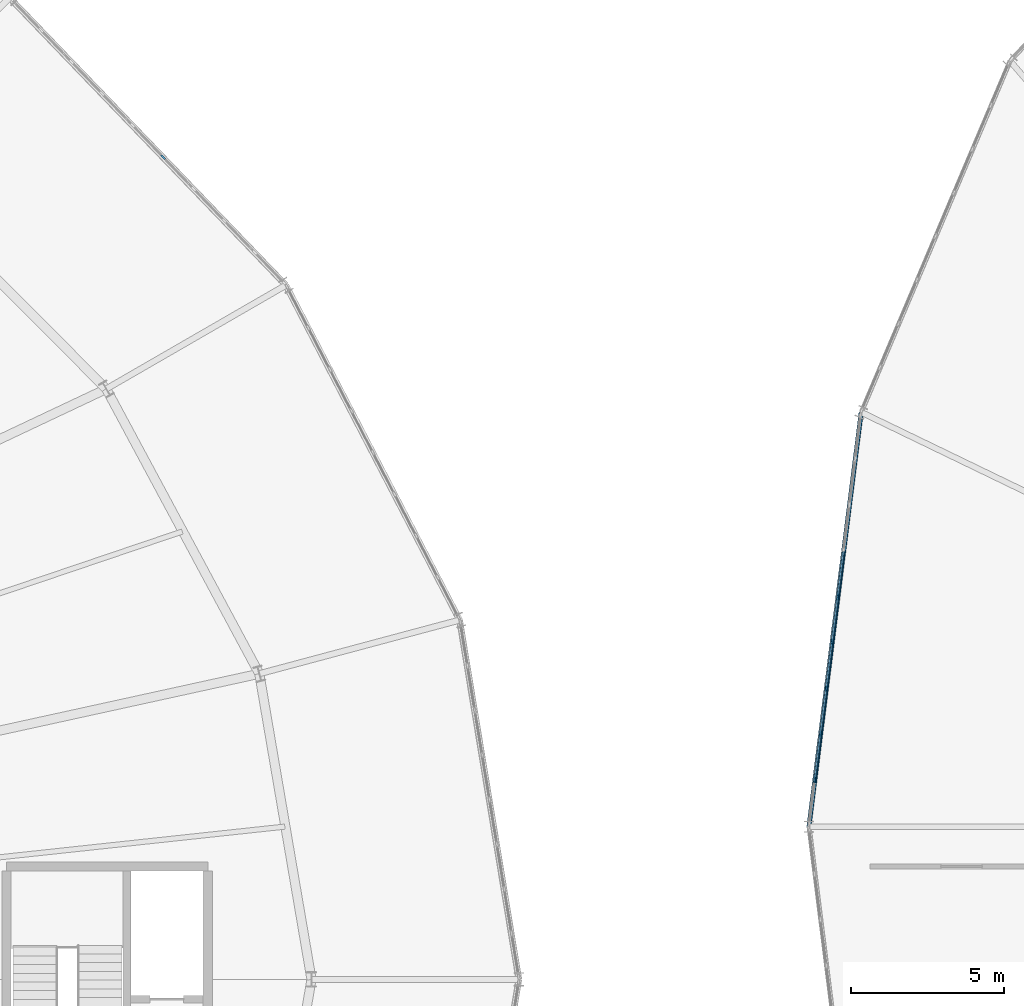
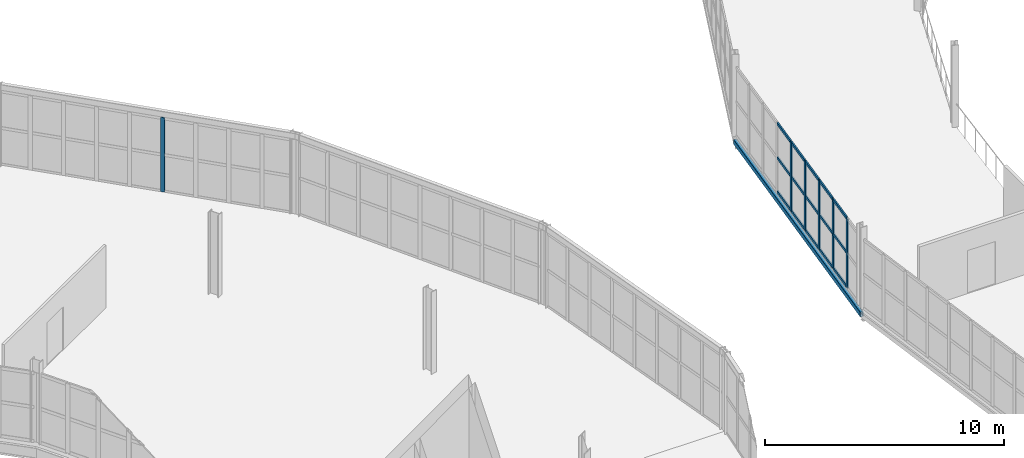
# One storey, part 87 of 161: 21 members, 1 beam, 2 elements without a shape of their own.
"""IFC4 building model written with IfcOpenShell, lengths in metres."""

import ifcopenshell
import ifcopenshell.guid

model = None  # the IFC model being written
_history = None  # IfcOwnerHistory: only IFC2X3 demands one
_inside = {}  # id of a spatial element -> (the spatial element, [elements in it])
_under = {}  # id of a project, library or spatial element -> (it, [spatial elements below it])
_declared = {}  # id of a project -> (the project, [libraries it declares])
_typed = {}  # id of a type object -> (the type object, [elements of that type])
_made_of = {}  # id of a material, layer set ... -> (it, [elements and type objects made of it])


def new_model(schema):
    """Start an empty IFC model of exactly this schema.

    Asked for "IFC4X3", IfcOpenShell would pick the latest addendum, in which some entities
    have other attributes; the version numbers below select the first issue.
    IFC2X3 requires an IfcOwnerHistory on every rooted entity: one is made here for all.
    """
    global model, _history
    if schema == "IFC4X3":
        model = ifcopenshell.file(schema_version=(4, 3, 0, 0))
    else:
        model = ifcopenshell.file(schema=schema)
    _inside.clear()
    _under.clear()
    _declared.clear()
    _typed.clear()
    _made_of.clear()
    _history = None
    if model.schema == "IFC2X3":
        org = make("IfcOrganization", Name="unknown")
        user = make(
            "IfcPersonAndOrganization",
            ThePerson=make("IfcPerson", FamilyName="unknown"),
            TheOrganization=org,
        )
        app = make(
            "IfcApplication",
            ApplicationDeveloper=org,
            Version="unknown",
            ApplicationFullName="unknown",
            ApplicationIdentifier="unknown",
        )
        _history = make(
            "IfcOwnerHistory",
            OwningUser=user,
            OwningApplication=app,
            ChangeAction="ADDED",
            CreationDate=0,
        )
    return model


def make(cls, **values):
    """One entity of the class cls with the attributes given. An attribute that is None is left unset."""
    return model.create_entity(
        cls, **{name: value for name, value in values.items() if value is not None}
    )


def rooted(cls, **values):
    """An entity with a GlobalId (a new one), such as an element, a storey or a relation."""
    return make(cls, GlobalId=ifcopenshell.guid.new(), OwnerHistory=_history, **values)


def si_unit(unit_type, name, prefix=None):
    """IfcSIUnit, for example si_unit("LENGTHUNIT", "METRE", prefix="MILLI")."""
    return make("IfcSIUnit", UnitType=unit_type, Prefix=prefix, Name=name)


def assignment(units):
    """IfcUnitAssignment: the units of a project."""
    return None if units is None else make("IfcUnitAssignment", Units=units)


def point(xyz):
    """IfcCartesianPoint."""
    return None if xyz is None else make("IfcCartesianPoint", Coordinates=xyz)


def direction(xyz):
    """IfcDirection."""
    return None if xyz is None else make("IfcDirection", DirectionRatios=xyz)


def frame(location, z_axis=None, x_axis=None):
    """IfcAxis2Placement3D, a coordinate frame: its origin and axes. An axis left out is left unset."""
    return make(
        "IfcAxis2Placement3D",
        Location=point(location),
        Axis=direction(z_axis),
        RefDirection=direction(x_axis),
    )


def frame_2d(location, x_axis=None):
    """IfcAxis2Placement2D, a coordinate frame in the plane: its origin and x axis."""
    return make(
        "IfcAxis2Placement2D", Location=point(location), RefDirection=direction(x_axis)
    )


def origin():
    """The frame at (0, 0, 0) with its axes left unset."""
    return frame((0.0, 0.0, 0.0))


def origin_2d():
    """The frame at (0, 0) in the plane with its x axis left unset."""
    return frame_2d((0.0, 0.0))


def place(relative_to, where):
    """IfcLocalPlacement: puts the frame where relative to a parent placement (None: the world)."""
    return make(
        "IfcLocalPlacement", PlacementRelTo=relative_to, RelativePlacement=where
    )


def context(
    kind, dimensions, precision=None, world=None, true_north=None, identifier=None
):
    """IfcGeometricRepresentationContext, for example the 3D "Model" context."""
    return make(
        "IfcGeometricRepresentationContext",
        ContextIdentifier=identifier,
        ContextType=kind,
        CoordinateSpaceDimension=dimensions,
        Precision=precision,
        WorldCoordinateSystem=world,
        TrueNorth=true_north,
    )


def subcontext(parent, identifier, kind, view, scale=None):
    """IfcGeometricRepresentationSubContext, for example "Body" below "Model"."""
    return make(
        "IfcGeometricRepresentationSubContext",
        ContextIdentifier=identifier,
        ContextType=kind,
        ParentContext=parent,
        TargetScale=scale,
        TargetView=view,
    )


def project(units=None, contexts=None):
    """IfcProject with its units and contexts."""
    return rooted(
        "IfcProject",
        Name="project",
        RepresentationContexts=contexts,
        UnitsInContext=assignment(units),
    )


def spatial(cls, under=None, at=None, **own):
    """A site, building, storey or space (cls), placed at a placement, below another one or the project."""
    s = rooted(cls, ObjectPlacement=at, **own)
    if under is not None:
        _under.setdefault(under.id(), (under, []))[1].append(s)
    return s


def profile(cls, at=None, kind="AREA", **sizes):
    """A parametric profile (cls). Its sizes go by their IFC names, for example OverallWidth=200.0."""
    return make(cls, ProfileType=kind, Position=at, **sizes)


def rectangle(**sizes):
    """IfcRectangleProfileDef."""
    return profile("IfcRectangleProfileDef", **sizes)


def hollow_rectangle(**sizes):
    """IfcRectangleHollowProfileDef."""
    return profile("IfcRectangleHollowProfileDef", **sizes)


def extrude(swept, where, along, depth):
    """IfcExtrudedAreaSolid: the profile swept, set in the frame where, extruded along a direction by depth."""
    return make(
        "IfcExtrudedAreaSolid",
        SweptArea=swept,
        Position=where,
        ExtrudedDirection=direction(along),
        Depth=depth,
    )


def shape(context_of_items, identifier, shape_type, items):
    """IfcShapeRepresentation: the items that make up one representation, for example the "Body"."""
    return make(
        "IfcShapeRepresentation",
        ContextOfItems=context_of_items,
        RepresentationIdentifier=identifier,
        RepresentationType=shape_type,
        Items=items,
    )


def material(Name=None, Category=None):
    """IfcMaterial."""
    return make("IfcMaterial", Name=Name, Category=Category)


def material_profile(
    of_material, cross_section, Name=None, Category=None, Priority=None
):
    """IfcMaterialProfile: a cross section and its material."""
    return make(
        "IfcMaterialProfile",
        Name=Name,
        Material=of_material,
        Profile=cross_section,
        Priority=Priority,
        Category=Category,
    )


def profile_set(profiles, Name=None, composite=None):
    """IfcMaterialProfileSet."""
    return make(
        "IfcMaterialProfileSet",
        Name=Name,
        MaterialProfiles=profiles,
        CompositeProfile=composite,
    )


def made_of(thing, what):
    """Note that an element or type object is made of a material, layer set ...; save() writes the relation."""
    if what is not None:
        _made_of.setdefault(what.id(), (what, []))[1].append(thing)
    return thing


def type_object(cls, material=None, **own):
    """A type object (cls), such as IfcWallType, which elements share."""
    return made_of(rooted(cls, **own), material)


def element(
    cls,
    number,
    at=None,
    inside=None,
    cuts=None,
    type_object=None,
    material=None,
    context=None,
    identifier="Body",
    shape_type=None,
    held_by="IfcProductDefinitionShape",
    body=None,
    shapes=None,
    **own,
):
    """One element of the class cls, such as IfcWall. Its Tag is "e" and its number.

    at: its placement. inside: the storey or other place that contains it. cuts: it is an
    opening in that element (IfcRelVoidsElement). A single representation is given by context,
    identifier, shape_type and body (its items); several are given by shapes. held_by: the class
    of the entity that holds the representations. save() writes the other relations.
    """
    e = rooted(cls, Tag="e%d" % number, ObjectPlacement=at, **own)
    if body is not None:
        shapes = [shape(context, identifier, shape_type, body)]
    if shapes is not None:
        e.Representation = make(held_by, Representations=shapes)
    if inside is not None:
        _inside.setdefault(inside.id(), (inside, []))[1].append(e)
    if cuts is not None:
        rooted(
            "IfcRelVoidsElement", RelatingBuildingElement=cuts, RelatedOpeningElement=e
        )
    if type_object is not None:
        _typed.setdefault(type_object.id(), (type_object, []))[1].append(e)
    return made_of(e, material)


def aggregate(whole, parts):
    """IfcRelAggregates: a whole, such as a stair, and the parts it consists of."""
    return rooted("IfcRelAggregates", RelatingObject=whole, RelatedObjects=parts)


def save(model, path):
    """Write the relations noted so far, then the file.

    IfcRelAggregates (storeys below a building ...), IfcRelContainedInSpatialStructure (elements
    in a storey), IfcRelDefinesByType, IfcRelAssociatesMaterial and IfcRelDeclares: one each for
    every whole, place, type object, material and project.
    """
    for whole, parts in _under.values():
        aggregate(whole, parts)
    for where, things in _inside.values():
        rooted(
            "IfcRelContainedInSpatialStructure",
            RelatedElements=things,
            RelatingStructure=where,
        )
    for kind, things in _typed.values():
        rooted("IfcRelDefinesByType", RelatedObjects=things, RelatingType=kind)
    for what, things in _made_of.values():
        rooted("IfcRelAssociatesMaterial", RelatedObjects=things, RelatingMaterial=what)
    for by, libraries in _declared.values():
        rooted("IfcRelDeclares", RelatingContext=by, RelatedDefinitions=libraries)
    model.write(path)


model = new_model("IFC4")

# Units and contexts
model_context = context("Model", 3, precision=1e-05, world=origin(), true_north=direction((0.0, 1.0)))
body_context = subcontext(model_context, "Body", "Model", "MODEL_VIEW")
ifc_project = project(units=[si_unit("LENGTHUNIT", "METRE"), si_unit("AREAUNIT", "SQUARE_METRE"), si_unit("VOLUMEUNIT", "CUBIC_METRE"), si_unit("PLANEANGLEUNIT", "RADIAN"), si_unit("MASSUNIT", "GRAM", prefix="KILO")], contexts=[model_context])

# Site, building, storey
site_placement = place(None, origin())
site = spatial("IfcSite", under=ifc_project, at=site_placement, CompositionType="ELEMENT")
building_placement = place(site_placement, origin())
building = spatial("IfcBuilding", under=site, at=building_placement, Name="Kildeholm Park Wholesale Market", CompositionType="ELEMENT")
storey_placement = place(building_placement, frame((0.0, 0.0, 5.39990234375)))
storey = spatial("IfcBuildingStorey", under=building, at=storey_placement, Name="L01", CompositionType="ELEMENT", Elevation=5.39990234375)

# Beam
ifc_material_1 = material(Name="Steel S355", Category="steel")
ifc_material_profile_1 = material_profile(ifc_material_1, hollow_rectangle(XDim=0.14990234375, YDim=0.25, WallThickness=0.010009765625, InnerFilletRadius=0.010009765625, OuterFilletRadius=0.02001953125, at=origin_2d()), Name="RHS 250x150x10")
ifc_profile_set_1 = profile_set([ifc_material_profile_1], Name="Steel S355")
beam_type = type_object("IfcBeamType", Name="Beam SP-02 RHS 250x150x10", PredefinedType="SPANDREL", material=ifc_profile_set_1)
beam_placement = place(storey_placement, frame((167.212890625, 108.0849609375, -0.385009765625), z_axis=(-0.125096795787, -0.99214454173, 0.0), x_axis=(0.99214454173, -0.125096795787, 0.0)))
element("IfcBeam", 1, at=beam_placement, inside=storey, type_object=beam_type, Name="Beam BM-V2-L01-CO-07 BM-0413", PredefinedType="SPANDREL", context=body_context, shape_type="SweptSolid", body=[
    extrude(hollow_rectangle(XDim=0.14990234375, YDim=0.25, WallThickness=0.010009765625, InnerFilletRadius=0.010009765625, OuterFilletRadius=0.02001953125, at=origin_2d()), origin(), (0.0, 0.0, 1.0), 13.692626953125),
])

# Curtain wall, member
ifc_material_2 = material(Name="Anodised aluminium and low-E double-glazed glass", Category="aluminium")
curtain_wall_type = type_object("IfcCurtainWallType", Name="Market hall glazed arcade stick curtain wall CW-01", PredefinedType="NOTDEFINED", material=ifc_material_2)
curtain_wall_1_placement = place(storey_placement, origin())
curtain_wall_1 = element("IfcCurtainWall", 2, at=curtain_wall_1_placement, inside=storey, type_object=curtain_wall_type, Name="Curtain wall CW-V1-OT-02-1 CW-0011", PredefinedType="NOTDEFINED")
ifc_material_3 = material(Name="Anodised aluminium", Category="aluminium")
ifc_material_profile_2 = material_profile(ifc_material_3, rectangle(XDim=0.06494140625, YDim=0.179931640625, at=origin_2d()), Name="CWM 65x180")
ifc_profile_set_2 = profile_set([ifc_material_profile_2], Name="Anodised aluminium")
member_type_1 = type_object("IfcMemberType", Name="Curtain-wall mullion CWM-1 CWM 65x180", PredefinedType="MULLION", material=ifc_profile_set_2)
member_1_placement = place(storey_placement, frame((144.339111328125, 116.444580078125, 0.0), z_axis=(0.0, 0.0, 1.0), x_axis=(-0.720901097951, -0.69303795493, 0.0)))
member_1 = element("IfcMember", 3, at=member_1_placement, type_object=member_type_1, Name="CW-01 mullion 5 MEM-0648", PredefinedType="MULLION", context=body_context, shape_type="SweptSolid", body=[
    extrude(rectangle(XDim=0.06494140625, YDim=0.179931640625, at=origin_2d()), origin(), (0.0, 0.0, 1.0), 3.800048828125),
])
aggregate(curtain_wall_1, [member_1])

# Curtain wall, members
curtain_wall_2_placement = place(storey_placement, origin())
curtain_wall_2 = element("IfcCurtainWall", 4, at=curtain_wall_2_placement, inside=storey, type_object=curtain_wall_type, Name="Curtain wall CW-V2-L01-07 CW-0126", PredefinedType="NOTDEFINED")
member_2_placement = place(storey_placement, frame((166.446044921875, 102.044921875, 0.0), z_axis=(0.0, 0.0, 1.0), x_axis=(0.992145095497, -0.12509240377, 0.0)))
member_2 = element("IfcMember", 5, at=member_2_placement, type_object=member_type_1, Name="CW-01 mullion 5 MEM-3863", PredefinedType="MULLION", context=body_context, shape_type="SweptSolid", body=[
    extrude(rectangle(XDim=0.06494140625, YDim=0.179931640625, at=origin_2d()), origin(), (0.0, 0.0, 1.0), 3.550048828125),
])
member_3_placement = place(storey_placement, frame((166.2568359375, 100.544189453125, 0.0), z_axis=(0.0, 0.0, 1.0), x_axis=(0.992145095497, -0.12509240377, 0.0)))
member_3 = element("IfcMember", 6, at=member_3_placement, type_object=member_type_1, Name="CW-01 mullion 6 MEM-3864", PredefinedType="MULLION", context=body_context, shape_type="SweptSolid", body=[
    extrude(rectangle(XDim=0.06494140625, YDim=0.179931640625, at=origin_2d()), origin(), (0.0, 0.0, 1.0), 3.550048828125),
])
member_4_placement = place(storey_placement, frame((166.067626953125, 99.043212890625, 0.0), z_axis=(0.0, 0.0, 1.0), x_axis=(0.992145095497, -0.12509240377, 0.0)))
member_4 = element("IfcMember", 7, at=member_4_placement, type_object=member_type_1, Name="CW-01 mullion 7 MEM-3865", PredefinedType="MULLION", context=body_context, shape_type="SweptSolid", body=[
    extrude(rectangle(XDim=0.06494140625, YDim=0.179931640625, at=origin_2d()), origin(), (0.0, 0.0, 1.0), 3.550048828125),
])
member_5_placement = place(storey_placement, frame((165.87841796875, 97.54248046875, 0.0), z_axis=(0.0, 0.0, 1.0), x_axis=(0.992145095497, -0.12509240377, 0.0)))
member_5 = element("IfcMember", 8, at=member_5_placement, type_object=member_type_1, Name="CW-01 mullion 8 MEM-3866", PredefinedType="MULLION", context=body_context, shape_type="SweptSolid", body=[
    extrude(rectangle(XDim=0.06494140625, YDim=0.179931640625, at=origin_2d()), origin(), (0.0, 0.0, 1.0), 3.550048828125),
])
member_6_placement = place(storey_placement, frame((165.689208984375, 96.041748046875, 0.0), z_axis=(0.0, 0.0, 1.0), x_axis=(0.992145095497, -0.12509240377, 0.0)))
member_6 = element("IfcMember", 9, at=member_6_placement, type_object=member_type_1, Name="CW-01 mullion 9 MEM-3867", PredefinedType="MULLION", context=body_context, shape_type="SweptSolid", body=[
    extrude(rectangle(XDim=0.06494140625, YDim=0.179931640625, at=origin_2d()), origin(), (0.0, 0.0, 1.0), 3.550048828125),
])
ifc_material_profile_3 = material_profile(ifc_material_3, rectangle(XDim=0.06494140625, YDim=0.139892578125, at=origin_2d()), Name="CWT 65x140")
ifc_profile_set_3 = profile_set([ifc_material_profile_3], Name="Anodised aluminium")
member_type_2 = type_object("IfcMemberType", Name="Curtain-wall transom CWT-1 CWT 65x140", PredefinedType="USERDEFINED", material=ifc_profile_set_3)
member_7_placement = place(storey_placement, frame((166.63134765625, 103.513427734375, 0.03271484375), z_axis=(-0.125134744026, -0.992139756203, 0.0), x_axis=(0.992139756203, -0.125134744026, 0.0)))
member_7 = element("IfcMember", 10, at=member_7_placement, type_object=member_type_2, Name="CW-01 transom 4.1 MEM-3878", ObjectType="TRANSOM", PredefinedType="USERDEFINED", context=body_context, shape_type="SweptSolid", body=[
    extrude(rectangle(XDim=0.06494140625, YDim=0.139892578125, at=origin_2d()), origin(), (0.0, 0.0, 1.0), 1.44775390625),
])
member_8_placement = place(storey_placement, frame((166.63134765625, 103.513427734375, 1.775146484375), z_axis=(-0.125134744026, -0.992139756203, 0.0), x_axis=(0.992139756203, -0.125134744026, 0.0)))
member_8 = element("IfcMember", 11, at=member_8_placement, type_object=member_type_2, Name="CW-01 transom 4.2 MEM-3879", ObjectType="TRANSOM", PredefinedType="USERDEFINED", context=body_context, shape_type="SweptSolid", body=[
    extrude(rectangle(XDim=0.06494140625, YDim=0.139892578125, at=origin_2d()), origin(), (0.0, 0.0, 1.0), 1.44775390625),
])
member_9_placement = place(storey_placement, frame((166.63134765625, 103.513427734375, 3.517578125), z_axis=(-0.125134744026, -0.992139756203, 0.0), x_axis=(0.992139756203, -0.125134744026, 0.0)))
member_9 = element("IfcMember", 12, at=member_9_placement, type_object=member_type_2, Name="CW-01 transom 4.3 MEM-3880", ObjectType="TRANSOM", PredefinedType="USERDEFINED", context=body_context, shape_type="SweptSolid", body=[
    extrude(rectangle(XDim=0.06494140625, YDim=0.139892578125, at=origin_2d()), origin(), (0.0, 0.0, 1.0), 1.44775390625),
])
member_10_placement = place(storey_placement, frame((166.442138671875, 102.0126953125, 0.03271484375), z_axis=(-0.125134744026, -0.992139756203, 0.0), x_axis=(0.992139756203, -0.125134744026, 0.0)))
member_10 = element("IfcMember", 13, at=member_10_placement, type_object=member_type_2, Name="CW-01 transom 5.1 MEM-3881", ObjectType="TRANSOM", PredefinedType="USERDEFINED", context=body_context, shape_type="SweptSolid", body=[
    extrude(rectangle(XDim=0.06494140625, YDim=0.139892578125, at=origin_2d()), origin(), (0.0, 0.0, 1.0), 1.44775390625),
])
member_11_placement = place(storey_placement, frame((166.442138671875, 102.0126953125, 1.775146484375), z_axis=(-0.125134744026, -0.992139756203, 0.0), x_axis=(0.992139756203, -0.125134744026, 0.0)))
member_11 = element("IfcMember", 14, at=member_11_placement, type_object=member_type_2, Name="CW-01 transom 5.2 MEM-3882", ObjectType="TRANSOM", PredefinedType="USERDEFINED", context=body_context, shape_type="SweptSolid", body=[
    extrude(rectangle(XDim=0.06494140625, YDim=0.139892578125, at=origin_2d()), origin(), (0.0, 0.0, 1.0), 1.44775390625),
])
member_12_placement = place(storey_placement, frame((166.442138671875, 102.0126953125, 3.517578125), z_axis=(-0.125134744026, -0.992139756203, 0.0), x_axis=(0.992139756203, -0.125134744026, 0.0)))
member_12 = element("IfcMember", 15, at=member_12_placement, type_object=member_type_2, Name="CW-01 transom 5.3 MEM-3883", ObjectType="TRANSOM", PredefinedType="USERDEFINED", context=body_context, shape_type="SweptSolid", body=[
    extrude(rectangle(XDim=0.06494140625, YDim=0.139892578125, at=origin_2d()), origin(), (0.0, 0.0, 1.0), 1.44775390625),
])
member_13_placement = place(storey_placement, frame((166.2529296875, 100.511962890625, 0.03271484375), z_axis=(-0.125134744026, -0.992139756203, 0.0), x_axis=(0.992139756203, -0.125134744026, 0.0)))
member_13 = element("IfcMember", 16, at=member_13_placement, type_object=member_type_2, Name="CW-01 transom 6.1 MEM-3884", ObjectType="TRANSOM", PredefinedType="USERDEFINED", context=body_context, shape_type="SweptSolid", body=[
    extrude(rectangle(XDim=0.06494140625, YDim=0.139892578125, at=origin_2d()), origin(), (0.0, 0.0, 1.0), 1.44775390625),
])
member_14_placement = place(storey_placement, frame((166.2529296875, 100.511962890625, 1.775146484375), z_axis=(-0.125134744026, -0.992139756203, 0.0), x_axis=(0.992139756203, -0.125134744026, 0.0)))
member_14 = element("IfcMember", 17, at=member_14_placement, type_object=member_type_2, Name="CW-01 transom 6.2 MEM-3885", ObjectType="TRANSOM", PredefinedType="USERDEFINED", context=body_context, shape_type="SweptSolid", body=[
    extrude(rectangle(XDim=0.06494140625, YDim=0.139892578125, at=origin_2d()), origin(), (0.0, 0.0, 1.0), 1.44775390625),
])
member_15_placement = place(storey_placement, frame((166.2529296875, 100.511962890625, 3.517578125), z_axis=(-0.125134744026, -0.992139756203, 0.0), x_axis=(0.992139756203, -0.125134744026, 0.0)))
member_15 = element("IfcMember", 18, at=member_15_placement, type_object=member_type_2, Name="CW-01 transom 6.3 MEM-3886", ObjectType="TRANSOM", PredefinedType="USERDEFINED", context=body_context, shape_type="SweptSolid", body=[
    extrude(rectangle(XDim=0.06494140625, YDim=0.139892578125, at=origin_2d()), origin(), (0.0, 0.0, 1.0), 1.44775390625),
])
member_16_placement = place(storey_placement, frame((166.063720703125, 99.010986328125, 0.03271484375), z_axis=(-0.125134744026, -0.992139756203, 0.0), x_axis=(0.992139756203, -0.125134744026, 0.0)))
member_16 = element("IfcMember", 19, at=member_16_placement, type_object=member_type_2, Name="CW-01 transom 7.1 MEM-3887", ObjectType="TRANSOM", PredefinedType="USERDEFINED", context=body_context, shape_type="SweptSolid", body=[
    extrude(rectangle(XDim=0.06494140625, YDim=0.139892578125, at=origin_2d()), origin(), (0.0, 0.0, 1.0), 1.44775390625),
])
member_17_placement = place(storey_placement, frame((166.063720703125, 99.010986328125, 1.775146484375), z_axis=(-0.125134744026, -0.992139756203, 0.0), x_axis=(0.992139756203, -0.125134744026, 0.0)))
member_17 = element("IfcMember", 20, at=member_17_placement, type_object=member_type_2, Name="CW-01 transom 7.2 MEM-3888", ObjectType="TRANSOM", PredefinedType="USERDEFINED", context=body_context, shape_type="SweptSolid", body=[
    extrude(rectangle(XDim=0.06494140625, YDim=0.139892578125, at=origin_2d()), origin(), (0.0, 0.0, 1.0), 1.44775390625),
])
member_18_placement = place(storey_placement, frame((166.063720703125, 99.010986328125, 3.517578125), z_axis=(-0.125134744026, -0.992139756203, 0.0), x_axis=(0.992139756203, -0.125134744026, 0.0)))
member_18 = element("IfcMember", 21, at=member_18_placement, type_object=member_type_2, Name="CW-01 transom 7.3 MEM-3889", ObjectType="TRANSOM", PredefinedType="USERDEFINED", context=body_context, shape_type="SweptSolid", body=[
    extrude(rectangle(XDim=0.06494140625, YDim=0.139892578125, at=origin_2d()), origin(), (0.0, 0.0, 1.0), 1.44775390625),
])
member_19_placement = place(storey_placement, frame((165.874267578125, 97.51025390625, 0.03271484375), z_axis=(-0.124968734331, -0.992160680253, 0.0), x_axis=(0.992160680253, -0.124968734331, 0.0)))
member_19 = element("IfcMember", 22, at=member_19_placement, type_object=member_type_2, Name="CW-01 transom 8.1 MEM-3890", ObjectType="TRANSOM", PredefinedType="USERDEFINED", context=body_context, shape_type="SweptSolid", body=[
    extrude(rectangle(XDim=0.06494140625, YDim=0.139892578125, at=origin_2d()), origin(), (0.0, 0.0, 1.0), 1.447509765625),
])
member_20_placement = place(storey_placement, frame((165.874267578125, 97.51025390625, 1.775146484375), z_axis=(-0.124968734331, -0.992160680253, 0.0), x_axis=(0.992160680253, -0.124968734331, 0.0)))
member_20 = element("IfcMember", 23, at=member_20_placement, type_object=member_type_2, Name="CW-01 transom 8.2 MEM-3891", ObjectType="TRANSOM", PredefinedType="USERDEFINED", context=body_context, shape_type="SweptSolid", body=[
    extrude(rectangle(XDim=0.06494140625, YDim=0.139892578125, at=origin_2d()), origin(), (0.0, 0.0, 1.0), 1.447509765625),
])
member_21_placement = place(storey_placement, frame((165.874267578125, 97.51025390625, 3.517578125), z_axis=(-0.124968734331, -0.992160680253, 0.0), x_axis=(0.992160680253, -0.124968734331, 0.0)))
member_21 = element("IfcMember", 24, at=member_21_placement, type_object=member_type_2, Name="CW-01 transom 8.3 MEM-3892", ObjectType="TRANSOM", PredefinedType="USERDEFINED", context=body_context, shape_type="SweptSolid", body=[
    extrude(rectangle(XDim=0.06494140625, YDim=0.139892578125, at=origin_2d()), origin(), (0.0, 0.0, 1.0), 1.447509765625),
])
aggregate(curtain_wall_2, [member_2, member_3, member_4, member_5, member_6, member_7, member_8, member_9, member_10, member_11, member_12, member_13, member_14, member_15, member_16, member_17, member_18, member_19, member_20, member_21])

save(model, "model.ifc")
